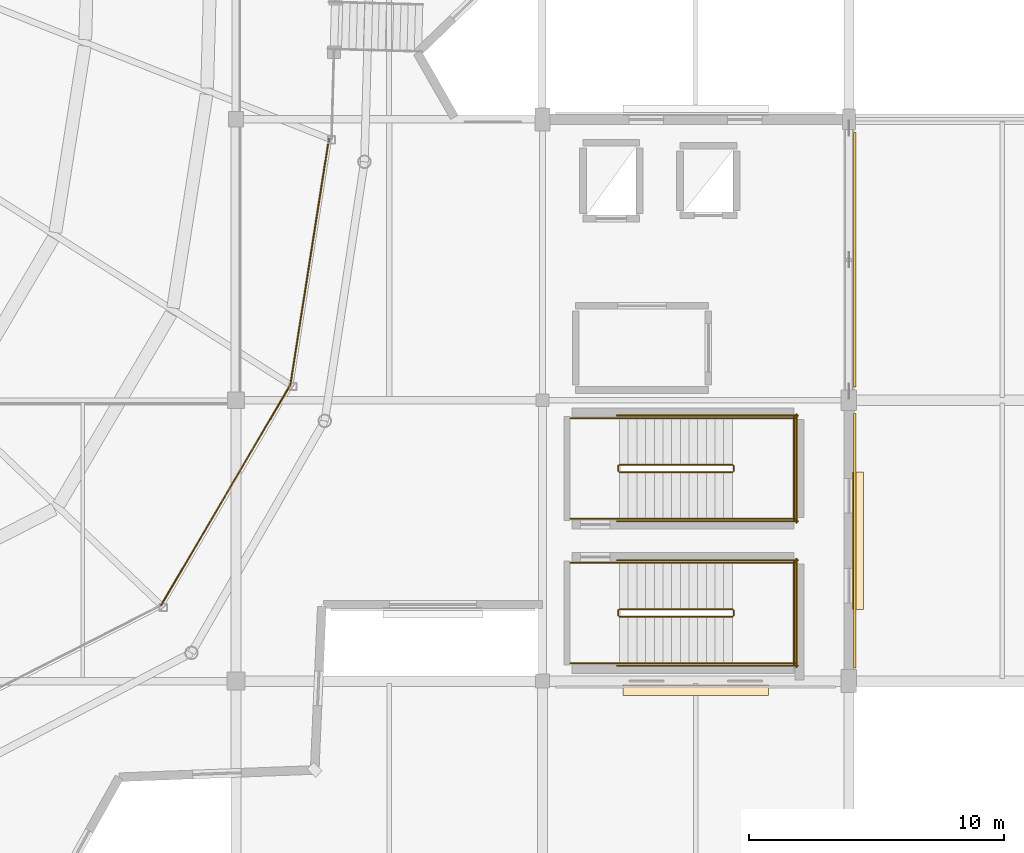
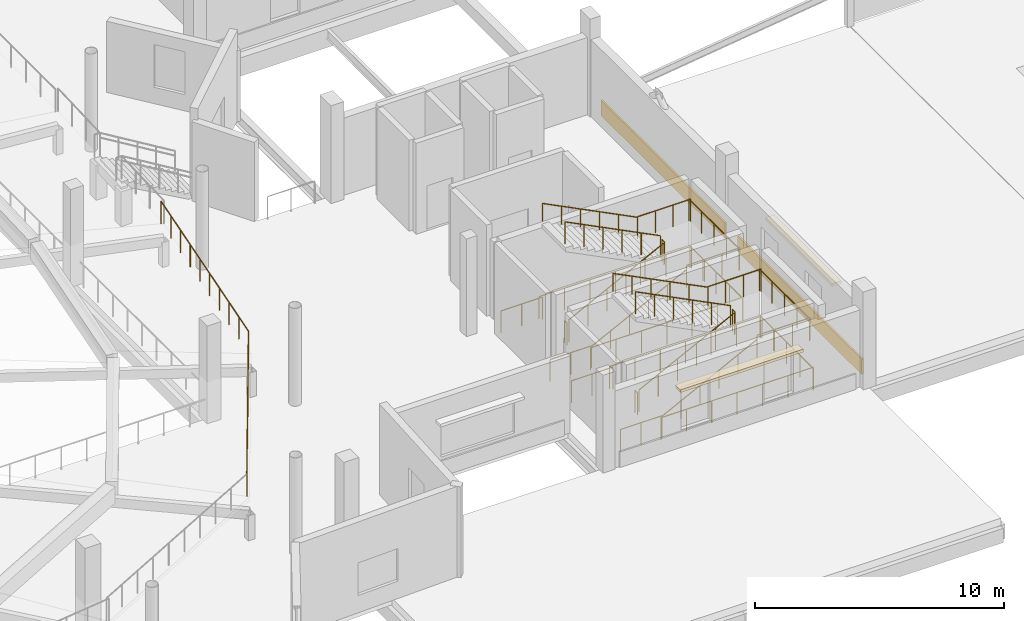
# One storey, part 73 of 77: 30 railings, 4 coverings.
"""IFC4 building model written with IfcOpenShell, lengths in metres."""

from ifc_helpers import new_model, si_unit, direction, frame, origin, origin_2d, place, context, subcontext, project, spatial, rectangle, circle, extrude, material, layer, layer_set, type_object, element, save


model = new_model("IFC4")

# Units and contexts
model_context = context("Model", 3, precision=1e-05, world=origin(), true_north=direction((0.0, 1.0)))
body_context = subcontext(model_context, "Body", "Model", "MODEL_VIEW")
ifc_project = project(units=[si_unit("LENGTHUNIT", "METRE"), si_unit("AREAUNIT", "SQUARE_METRE"), si_unit("VOLUMEUNIT", "CUBIC_METRE"), si_unit("PLANEANGLEUNIT", "RADIAN"), si_unit("MASSUNIT", "GRAM", prefix="KILO")], contexts=[model_context])

# Site, building, storey
site_placement = place(None, origin())
site = spatial("IfcSite", under=ifc_project, at=site_placement, CompositionType="ELEMENT")
building_placement = place(site_placement, origin())
building = spatial("IfcBuilding", under=site, at=building_placement, Name="Luwafu Chhajja Arena", CompositionType="ELEMENT")
storey_placement = place(building_placement, frame((0.0, 0.0, 14.699951171875)))
storey = spatial("IfcBuildingStorey", under=building, at=storey_placement, Name="L03", CompositionType="ELEMENT", Elevation=14.699951171875)

# Coverings
ifc_material_1 = material(Name="Red laterite sandstone cladding", Category="masonry")
ifc_layer = layer(ifc_material_1, 0.074951171875, Name="Red laterite sandstone cladding")
ifc_layer_set = layer_set([ifc_layer], Name="Red laterite sandstone cladding")
covering_type = type_object("IfcCoveringType", Name="Dressed Red-Laterite Sandstone Cladding", PredefinedType="CLADDING", material=ifc_layer_set)
covering_1_placement = place(storey_placement, frame((158.0, 10.639892578125, 2.93017578125), z_axis=(0.0, 0.0, 1.0), x_axis=(1.0, 0.0, 0.0)))
element("IfcCovering", 1, at=covering_1_placement, inside=storey, type_object=covering_type, Name="L03 Mughal Sandstone Window Chhajja Hood 0086", PredefinedType="CLADDING", context=body_context, shape_type="SweptSolid", body=[
    extrude(rectangle(XDim=5.703369140625, YDim=0.419921875, at=origin_2d()), origin(), (0.0, 0.0, 1.0), 0.139892578125),
])
covering_2_placement = place(storey_placement, frame((164.23193359375, 16.5, 0.0), z_axis=(0.0, 0.0, 1.0), x_axis=(0.0, 1.0, 0.0)))
element("IfcCovering", 2, at=covering_2_placement, inside=storey, type_object=covering_type, Name="L03 Red-Laterite Sandstone Plinth Cladding 093", PredefinedType="CLADDING", context=body_context, shape_type="SweptSolid", body=[
    extrude(rectangle(XDim=9.9599609375, YDim=0.0849609375, at=origin_2d()), origin(), (0.0, 0.0, 1.0), 0.760009765625),
])
covering_3_placement = place(storey_placement, frame((164.360107421875, 16.5, 2.93017578125), z_axis=(0.0, 0.0, 1.0), x_axis=(0.0, 1.0, 0.0)))
element("IfcCovering", 3, at=covering_3_placement, inside=storey, type_object=covering_type, Name="L03 Mughal Sandstone Window Chhajja Hood 0087", PredefinedType="CLADDING", context=body_context, shape_type="SweptSolid", body=[
    extrude(rectangle(XDim=5.3701171875, YDim=0.419921875, at=origin_2d()), origin(), (0.0, 0.0, 1.0), 0.139892578125),
])
covering_4_placement = place(storey_placement, frame((164.23193359375, 27.5, 0.0), z_axis=(0.0, 0.0, 1.0), x_axis=(0.0, 1.0, 0.0)))
element("IfcCovering", 4, at=covering_4_placement, inside=storey, type_object=covering_type, Name="L03 Red-Laterite Sandstone Plinth Cladding 095", PredefinedType="CLADDING", context=body_context, shape_type="SweptSolid", body=[
    extrude(rectangle(XDim=9.9599609375, YDim=0.0849609375, at=origin_2d()), origin(), (0.0, 0.0, 1.0), 0.760009765625),
])

# Railings
ifc_material_2 = material(Name="Stainless steel balustrade", Category="steel")
railing_type_1 = type_object("IfcRailingType", Name="Seating Bowl Sightline Barrier 1100", PredefinedType="BALUSTRADE", material=ifc_material_2)
railing_1_placement = place(storey_placement, frame((137.069091796875, 13.974609375, 2.030029296875)))
element("IfcRailing", 5, at=railing_1_placement, inside=storey, type_object=railing_type_1, Name="L03 Upper Tier Rear Barrier 0149", PredefinedType="BALUSTRADE", context=body_context, shape_type="SweptSolid", body=[
    extrude(circle(Radius=0.02392578125, at=origin_2d()), frame((0.0, 0.0, 1.09619140625), z_axis=(0.505876655953, 0.86260582479, 0.0), x_axis=(-0.86260582479, 0.505876655953, 0.0)), (0.0, 0.0, 1.0), 10.00634765625),
    extrude(circle(Radius=0.02099609375, at=origin_2d()), origin(), (0.0, 0.0, 1.0), 1.072021484375),
    extrude(circle(Radius=0.02099609375, at=origin_2d()), frame((0.5625, 0.958984375, 0.0)), (0.0, 0.0, 1.0), 1.072021484375),
    extrude(circle(Radius=0.02099609375, at=origin_2d()), frame((1.125, 1.918212890625, 0.0)), (0.0, 0.0, 1.0), 1.072021484375),
    extrude(circle(Radius=0.02099609375, at=origin_2d()), frame((1.687255859375, 2.877197265625, 0.0)), (0.0, 0.0, 1.0), 1.072021484375),
    extrude(circle(Radius=0.02099609375, at=origin_2d()), frame((2.249755859375, 3.836181640625, 0.0)), (0.0, 0.0, 1.0), 1.072021484375),
    extrude(circle(Radius=0.02099609375, at=origin_2d()), frame((2.812255859375, 4.79541015625, 0.0)), (0.0, 0.0, 1.0), 1.072021484375),
    extrude(circle(Radius=0.02099609375, at=origin_2d()), frame((3.374755859375, 5.75439453125, 0.0)), (0.0, 0.0, 1.0), 1.072021484375),
    extrude(circle(Radius=0.02099609375, at=origin_2d()), frame((3.93701171875, 6.71337890625, 0.0)), (0.0, 0.0, 1.0), 1.072021484375),
    extrude(circle(Radius=0.02099609375, at=origin_2d()), frame((4.49951171875, 7.672607421875, 0.0)), (0.0, 0.0, 1.0), 1.072021484375),
    extrude(circle(Radius=0.02099609375, at=origin_2d()), frame((5.06201171875, 8.631591796875, 0.0)), (0.0, 0.0, 1.0), 1.072021484375),
])
railing_2_placement = place(storey_placement, frame((142.131103515625, 22.606201171875, 2.030029296875)))
element("IfcRailing", 6, at=railing_2_placement, inside=storey, type_object=railing_type_1, Name="L03 Upper Tier Rear Barrier 0153", PredefinedType="BALUSTRADE", context=body_context, shape_type="SweptSolid", body=[
    extrude(circle(Radius=0.02392578125, at=origin_2d()), frame((0.0, 0.0, 1.09619140625), z_axis=(0.154676116933, 0.9879652316, 0.0), x_axis=(-0.9879652316, 0.154676116933, 0.0)), (0.0, 0.0, 1.0), 9.756103515625),
    extrude(circle(Radius=0.02099609375, at=origin_2d()), origin(), (0.0, 0.0, 1.0), 1.072021484375),
    extrude(circle(Radius=0.02099609375, at=origin_2d()), frame((0.167724609375, 1.071044921875, 0.0)), (0.0, 0.0, 1.0), 1.072021484375),
    extrude(circle(Radius=0.02099609375, at=origin_2d()), frame((0.33544921875, 2.141845703125, 0.0)), (0.0, 0.0, 1.0), 1.072021484375),
    extrude(circle(Radius=0.02099609375, at=origin_2d()), frame((0.5029296875, 3.212890625, 0.0)), (0.0, 0.0, 1.0), 1.072021484375),
    extrude(circle(Radius=0.02099609375, at=origin_2d()), frame((0.670654296875, 4.283935546875, 0.0)), (0.0, 0.0, 1.0), 1.072021484375),
    extrude(circle(Radius=0.02099609375, at=origin_2d()), frame((0.83837890625, 5.354736328125, 0.0)), (0.0, 0.0, 1.0), 1.072021484375),
    extrude(circle(Radius=0.02099609375, at=origin_2d()), frame((1.006103515625, 6.42578125, 0.0)), (0.0, 0.0, 1.0), 1.072021484375),
    extrude(circle(Radius=0.02099609375, at=origin_2d()), frame((1.173583984375, 7.496826171875, 0.0)), (0.0, 0.0, 1.0), 1.072021484375),
    extrude(circle(Radius=0.02099609375, at=origin_2d()), frame((1.34130859375, 8.567626953125, 0.0)), (0.0, 0.0, 1.0), 1.072021484375),
    extrude(circle(Radius=0.02099609375, at=origin_2d()), frame((1.509033203125, 9.638671875, 0.0)), (0.0, 0.0, 1.0), 1.072021484375),
])
ifc_material_3 = material(Name="Stainless steel handrail", Category="steel")
railing_type_2 = type_object("IfcRailingType", Name="Stair Pitch Wall Handrail 920", PredefinedType="HANDRAIL", material=ifc_material_3)
railing_3_placement = place(storey_placement, frame((155.02001953125, 11.699951171875, 0.17138671875)))
element("IfcRailing", 7, at=railing_3_placement, inside=storey, type_object=railing_type_2, Name="L03 ST-03 stair handrail 1", PredefinedType="HANDRAIL", context=body_context, shape_type="SweptSolid", body=[
    extrude(circle(Radius=0.02392578125, at=origin_2d()), frame((0.0, 0.0, 0.8759765625), z_axis=(0.892902951771, 0.0, 0.450249174034), x_axis=(0.0, 1.0, 0.0)), (0.0, 0.0, 1.0), 4.949951171875),
    extrude(circle(Radius=0.02099609375, at=origin_2d()), origin(), (0.0, 0.0, 1.0), 0.851806640625),
    extrude(circle(Radius=0.02099609375, at=origin_2d()), frame((0.884033203125, 0.0, 0.44580078125)), (0.0, 0.0, 1.0), 0.851806640625),
    extrude(circle(Radius=0.02099609375, at=origin_2d()), frame((1.76806640625, 0.0, 0.8916015625)), (0.0, 0.0, 1.0), 0.851806640625),
    extrude(circle(Radius=0.02099609375, at=origin_2d()), frame((2.65185546875, 0.0, 1.337158203125)), (0.0, 0.0, 1.0), 0.851806640625),
    extrude(circle(Radius=0.02099609375, at=origin_2d()), frame((3.535888671875, 0.0, 1.782958984375)), (0.0, 0.0, 1.0), 0.851806640625),
    extrude(circle(Radius=0.02099609375, at=origin_2d()), frame((4.419921875, 0.0, 2.228759765625)), (0.0, 0.0, 1.0), 0.851806640625),
])
railing_4_placement = place(storey_placement, frame((159.43994140625, 15.639892578125, 2.571533203125)))
element("IfcRailing", 8, at=railing_4_placement, inside=storey, type_object=railing_type_2, Name="L03 ST-03 stair handrail 2", PredefinedType="HANDRAIL", context=body_context, shape_type="SweptSolid", body=[
    extrude(circle(Radius=0.02392578125, at=origin_2d()), frame((0.0, 0.0, 0.8759765625), z_axis=(-0.89292277971, 0.0, 0.450209850486), x_axis=(0.0, -1.0, 0.0)), (0.0, 0.0, 1.0), 4.949951171875),
    extrude(circle(Radius=0.02099609375, at=origin_2d()), origin(), (0.0, 0.0, 1.0), 0.851806640625),
    extrude(circle(Radius=0.02099609375, at=origin_2d()), frame((-0.884033203125, 0.0, 0.44580078125)), (0.0, 0.0, 1.0), 0.851806640625),
    extrude(circle(Radius=0.02099609375, at=origin_2d()), frame((-1.76806640625, 0.0, 0.891357421875)), (0.0, 0.0, 1.0), 0.851806640625),
    extrude(circle(Radius=0.02099609375, at=origin_2d()), frame((-2.65185546875, 0.0, 1.337158203125)), (0.0, 0.0, 1.0), 0.851806640625),
    extrude(circle(Radius=0.02099609375, at=origin_2d()), frame((-3.535888671875, 0.0, 1.78271484375)), (0.0, 0.0, 1.0), 0.851806640625),
    extrude(circle(Radius=0.02099609375, at=origin_2d()), frame((-4.419921875, 0.0, 2.228515625)), (0.0, 0.0, 1.0), 0.851806640625),
])
railing_5_placement = place(storey_placement, frame((155.02001953125, 17.360107421875, 0.17138671875)))
element("IfcRailing", 9, at=railing_5_placement, inside=storey, type_object=railing_type_2, Name="L03 ST-04 stair handrail 1", PredefinedType="HANDRAIL", context=body_context, shape_type="SweptSolid", body=[
    extrude(circle(Radius=0.02392578125, at=origin_2d()), frame((0.0, 0.0, 0.8759765625), z_axis=(0.892902951771, 0.0, 0.450249174034), x_axis=(0.0, 1.0, 0.0)), (0.0, 0.0, 1.0), 4.949951171875),
    extrude(circle(Radius=0.02099609375, at=origin_2d()), origin(), (0.0, 0.0, 1.0), 0.851806640625),
    extrude(circle(Radius=0.02099609375, at=origin_2d()), frame((0.884033203125, 0.0, 0.44580078125)), (0.0, 0.0, 1.0), 0.851806640625),
    extrude(circle(Radius=0.02099609375, at=origin_2d()), frame((1.76806640625, 0.0, 0.8916015625)), (0.0, 0.0, 1.0), 0.851806640625),
    extrude(circle(Radius=0.02099609375, at=origin_2d()), frame((2.65185546875, 0.0, 1.337158203125)), (0.0, 0.0, 1.0), 0.851806640625),
    extrude(circle(Radius=0.02099609375, at=origin_2d()), frame((3.535888671875, 0.0, 1.782958984375)), (0.0, 0.0, 1.0), 0.851806640625),
    extrude(circle(Radius=0.02099609375, at=origin_2d()), frame((4.419921875, 0.0, 2.228759765625)), (0.0, 0.0, 1.0), 0.851806640625),
])
railing_6_placement = place(storey_placement, frame((159.43994140625, 21.300048828125, 2.571533203125)))
element("IfcRailing", 10, at=railing_6_placement, inside=storey, type_object=railing_type_2, Name="L03 ST-04 stair handrail 2", PredefinedType="HANDRAIL", context=body_context, shape_type="SweptSolid", body=[
    extrude(circle(Radius=0.02392578125, at=origin_2d()), frame((0.0, 0.0, 0.8759765625), z_axis=(-0.89292277971, 0.0, 0.450209850486), x_axis=(0.0, -1.0, 0.0)), (0.0, 0.0, 1.0), 4.949951171875),
    extrude(circle(Radius=0.02099609375, at=origin_2d()), origin(), (0.0, 0.0, 1.0), 0.851806640625),
    extrude(circle(Radius=0.02099609375, at=origin_2d()), frame((-0.884033203125, 0.0, 0.44580078125)), (0.0, 0.0, 1.0), 0.851806640625),
    extrude(circle(Radius=0.02099609375, at=origin_2d()), frame((-1.76806640625, 0.0, 0.891357421875)), (0.0, 0.0, 1.0), 0.851806640625),
    extrude(circle(Radius=0.02099609375, at=origin_2d()), frame((-2.65185546875, 0.0, 1.337158203125)), (0.0, 0.0, 1.0), 0.851806640625),
    extrude(circle(Radius=0.02099609375, at=origin_2d()), frame((-3.535888671875, 0.0, 1.78271484375)), (0.0, 0.0, 1.0), 0.851806640625),
    extrude(circle(Radius=0.02099609375, at=origin_2d()), frame((-4.419921875, 0.0, 2.228515625)), (0.0, 0.0, 1.0), 0.851806640625),
])
railing_type_3 = type_object("IfcRailingType", Name="Stair and Terrace Guard Balustrade 1100", PredefinedType="BALUSTRADE", material=ifc_material_2)
railing_7_placement = place(storey_placement, frame((155.02001953125, 13.52001953125, 0.17138671875)))
element("IfcRailing", 11, at=railing_7_placement, inside=storey, type_object=railing_type_3, Name="L03 ST-03 stair guard 1", PredefinedType="BALUSTRADE", context=body_context, shape_type="SweptSolid", body=[
    extrude(circle(Radius=0.02392578125, at=origin_2d()), frame((0.0, 0.0, 1.076171875), z_axis=(0.892902951771, 0.0, 0.450249174034), x_axis=(0.0, 1.0, 0.0)), (0.0, 0.0, 1.0), 4.949951171875),
    extrude(circle(Radius=0.02099609375, at=origin_2d()), origin(), (0.0, 0.0, 1.0), 1.052001953125),
    extrude(circle(Radius=0.02099609375, at=origin_2d()), frame((0.884033203125, 0.0, 0.44580078125)), (0.0, 0.0, 1.0), 1.052001953125),
    extrude(circle(Radius=0.02099609375, at=origin_2d()), frame((1.76806640625, 0.0, 0.8916015625)), (0.0, 0.0, 1.0), 1.052001953125),
    extrude(circle(Radius=0.02099609375, at=origin_2d()), frame((2.65185546875, 0.0, 1.337158203125)), (0.0, 0.0, 1.0), 1.052001953125),
    extrude(circle(Radius=0.02099609375, at=origin_2d()), frame((3.535888671875, 0.0, 1.782958984375)), (0.0, 0.0, 1.0), 1.052001953125),
    extrude(circle(Radius=0.02099609375, at=origin_2d()), frame((4.419921875, 0.0, 2.228759765625)), (0.0, 0.0, 1.0), 1.052001953125),
])
railing_8_placement = place(storey_placement, frame((159.489990234375, 13.570068359375, 2.400146484375)))
element("IfcRailing", 12, at=railing_8_placement, inside=storey, type_object=railing_type_3, Name="L03 ST-03 stair guard 2", PredefinedType="BALUSTRADE", context=body_context, shape_type="SweptSolid", body=[
    extrude(circle(Radius=0.02392578125, at=origin_2d()), frame((0.0, 0.0, 1.076171875), z_axis=(0.0, 1.0, 0.0), x_axis=(-1.0, 0.0, 0.0)), (0.0, 0.0, 1.0), 0.199951171875),
    extrude(circle(Radius=0.02099609375, at=origin_2d()), origin(), (0.0, 0.0, 1.0), 1.052001953125),
    extrude(circle(Radius=0.02099609375, at=origin_2d()), frame((0.0, 0.199951171875, 0.0)), (0.0, 0.0, 1.0), 1.052001953125),
])
for number, where, name in (
    (13, (159.43994140625, 11.699951171875, 2.400146484375), "L03 ST-03 stair guard 3"),
    (14, (159.43994140625, 15.639892578125, 2.400146484375), "L03 ST-03 stair guard 4"),
):
    element("IfcRailing", number, at=place(storey_placement, frame(where)), inside=storey, type_object=railing_type_3, Name=name, PredefinedType="BALUSTRADE", context=body_context, shape_type="SweptSolid", body=[
        extrude(circle(Radius=0.02392578125, at=origin_2d()), frame((0.0, 0.0, 1.076171875), z_axis=(1.0, 0.0, 0.0), x_axis=(0.0, 1.0, 0.0)), (0.0, 0.0, 1.0), 2.4599609375),
        extrude(circle(Radius=0.02099609375, at=origin_2d()), origin(), (0.0, 0.0, 1.0), 1.052001953125),
        extrude(circle(Radius=0.02099609375, at=origin_2d()), frame((0.820068359375, 0.0, 0.0)), (0.0, 0.0, 1.0), 1.052001953125),
        extrude(circle(Radius=0.02099609375, at=origin_2d()), frame((1.639892578125, 0.0, 0.0)), (0.0, 0.0, 1.0), 1.052001953125),
        extrude(circle(Radius=0.02099609375, at=origin_2d()), frame((2.4599609375, 0.0, 0.0)), (0.0, 0.0, 1.0), 1.052001953125),
    ])
railing_9_placement = place(storey_placement, frame((161.85009765625, 11.64990234375, 2.400146484375)))
element("IfcRailing", 15, at=railing_9_placement, inside=storey, type_object=railing_type_3, Name="L03 ST-03 stair guard 5", PredefinedType="BALUSTRADE", context=body_context, shape_type="SweptSolid", body=[
    extrude(circle(Radius=0.02392578125, at=origin_2d()), frame((0.0, 0.0, 1.076171875), z_axis=(0.0, 1.0, 0.0), x_axis=(-1.0, 0.0, 0.0)), (0.0, 0.0, 1.0), 4.0400390625),
    extrude(circle(Radius=0.02099609375, at=origin_2d()), origin(), (0.0, 0.0, 1.0), 1.052001953125),
    extrude(circle(Radius=0.02099609375, at=origin_2d()), frame((0.0, 1.010009765625, 0.0)), (0.0, 0.0, 1.0), 1.052001953125),
    extrude(circle(Radius=0.02099609375, at=origin_2d()), frame((0.0, 2.02001953125, 0.0)), (0.0, 0.0, 1.0), 1.052001953125),
    extrude(circle(Radius=0.02099609375, at=origin_2d()), frame((0.0, 3.030029296875, 0.0)), (0.0, 0.0, 1.0), 1.052001953125),
    extrude(circle(Radius=0.02099609375, at=origin_2d()), frame((0.0, 4.0400390625, 0.0)), (0.0, 0.0, 1.0), 1.052001953125),
])
railing_10_placement = place(storey_placement, frame((159.43994140625, 13.820068359375, 2.571533203125)))
element("IfcRailing", 16, at=railing_10_placement, inside=storey, type_object=railing_type_3, Name="L03 ST-03 stair guard 6", PredefinedType="BALUSTRADE", context=body_context, shape_type="SweptSolid", body=[
    extrude(circle(Radius=0.02392578125, at=origin_2d()), frame((0.0, 0.0, 1.076171875), z_axis=(-0.89292277971, 0.0, 0.450209850486), x_axis=(0.0, -1.0, 0.0)), (0.0, 0.0, 1.0), 4.949951171875),
    extrude(circle(Radius=0.02099609375, at=origin_2d()), origin(), (0.0, 0.0, 1.0), 1.052001953125),
    extrude(circle(Radius=0.02099609375, at=origin_2d()), frame((-0.884033203125, 0.0, 0.44580078125)), (0.0, 0.0, 1.0), 1.052001953125),
    extrude(circle(Radius=0.02099609375, at=origin_2d()), frame((-1.76806640625, 0.0, 0.891357421875)), (0.0, 0.0, 1.0), 1.052001953125),
    extrude(circle(Radius=0.02099609375, at=origin_2d()), frame((-2.65185546875, 0.0, 1.337158203125)), (0.0, 0.0, 1.0), 1.052001953125),
    extrude(circle(Radius=0.02099609375, at=origin_2d()), frame((-3.535888671875, 0.0, 1.78271484375)), (0.0, 0.0, 1.0), 1.052001953125),
    extrude(circle(Radius=0.02099609375, at=origin_2d()), frame((-4.419921875, 0.0, 2.228515625)), (0.0, 0.0, 1.0), 1.052001953125),
])
railing_11_placement = place(storey_placement, frame((154.969970703125, 13.570068359375, 0.0)))
element("IfcRailing", 17, at=railing_11_placement, inside=storey, type_object=railing_type_3, Name="L03 ST-03 stair guard 7", PredefinedType="BALUSTRADE", context=body_context, shape_type="SweptSolid", body=[
    extrude(circle(Radius=0.02392578125, at=origin_2d()), frame((0.0, 0.0, 1.076171875), z_axis=(0.0, 1.0, 0.0), x_axis=(-1.0, 0.0, 0.0)), (0.0, 0.0, 1.0), 0.199951171875),
    extrude(circle(Radius=0.02099609375, at=origin_2d()), origin(), (0.0, 0.0, 1.0), 1.052001953125),
    extrude(circle(Radius=0.02099609375, at=origin_2d()), frame((0.0, 0.199951171875, 0.0)), (0.0, 0.0, 1.0), 1.052001953125),
])
for number, where, name in (
    (18, (153.10009765625, 11.699951171875, 0.0), "L03 ST-03 stair guard 8"),
    (19, (153.10009765625, 15.639892578125, 0.0), "L03 ST-03 stair guard 9"),
):
    element("IfcRailing", number, at=place(storey_placement, frame(where)), inside=storey, type_object=railing_type_3, Name=name, PredefinedType="BALUSTRADE", context=body_context, shape_type="SweptSolid", body=[
        extrude(circle(Radius=0.02392578125, at=origin_2d()), frame((0.0, 0.0, 1.076171875), z_axis=(1.0, 0.0, 0.0), x_axis=(0.0, 1.0, 0.0)), (0.0, 0.0, 1.0), 1.919921875),
        extrude(circle(Radius=0.02099609375, at=origin_2d()), origin(), (0.0, 0.0, 1.0), 1.052001953125),
        extrude(circle(Radius=0.02099609375, at=origin_2d()), frame((0.9599609375, 0.0, 0.0)), (0.0, 0.0, 1.0), 1.052001953125),
        extrude(circle(Radius=0.02099609375, at=origin_2d()), frame((1.919921875, 0.0, 0.0)), (0.0, 0.0, 1.0), 1.052001953125),
    ])
for number, where, name in (
    (20, (154.919921875, 11.60009765625, 0.0), "L03 ST-03 stair guard 10"),
    (21, (154.919921875, 15.739990234375, 0.0), "L03 ST-03 stair guard 11"),
):
    element("IfcRailing", number, at=place(storey_placement, frame(where)), inside=storey, type_object=railing_type_3, Name=name, PredefinedType="BALUSTRADE", context=body_context, shape_type="SweptSolid", body=[
        extrude(circle(Radius=0.02392578125, at=origin_2d()), frame((0.0, 0.0, 1.076171875), z_axis=(1.0, 0.0, 0.0), x_axis=(0.0, 1.0, 0.0)), (0.0, 0.0, 1.0), 7.080078125),
        extrude(circle(Radius=0.02099609375, at=origin_2d()), origin(), (0.0, 0.0, 1.0), 1.052001953125),
        extrude(circle(Radius=0.02099609375, at=origin_2d()), frame((1.179931640625, 0.0, 0.0)), (0.0, 0.0, 1.0), 1.052001953125),
        extrude(circle(Radius=0.02099609375, at=origin_2d()), frame((2.360107421875, 0.0, 0.0)), (0.0, 0.0, 1.0), 1.052001953125),
        extrude(circle(Radius=0.02099609375, at=origin_2d()), frame((3.5400390625, 0.0, 0.0)), (0.0, 0.0, 1.0), 1.052001953125),
        extrude(circle(Radius=0.02099609375, at=origin_2d()), frame((4.719970703125, 0.0, 0.0)), (0.0, 0.0, 1.0), 1.052001953125),
        extrude(circle(Radius=0.02099609375, at=origin_2d()), frame((5.900146484375, 0.0, 0.0)), (0.0, 0.0, 1.0), 1.052001953125),
        extrude(circle(Radius=0.02099609375, at=origin_2d()), frame((7.080078125, 0.0, 0.0)), (0.0, 0.0, 1.0), 1.052001953125),
    ])
railing_12_placement = place(storey_placement, frame((161.949951171875, 11.550048828125, 0.0)))
element("IfcRailing", 22, at=railing_12_placement, inside=storey, type_object=railing_type_3, Name="L03 ST-03 stair guard 12", PredefinedType="BALUSTRADE", context=body_context, shape_type="SweptSolid", body=[
    extrude(circle(Radius=0.02392578125, at=origin_2d()), frame((0.0, 0.0, 1.076171875), z_axis=(0.0, 1.0, 0.0), x_axis=(-1.0, 0.0, 0.0)), (0.0, 0.0, 1.0), 4.239990234375),
    extrude(circle(Radius=0.02099609375, at=origin_2d()), origin(), (0.0, 0.0, 1.0), 1.052001953125),
    extrude(circle(Radius=0.02099609375, at=origin_2d()), frame((0.0, 1.06005859375, 0.0)), (0.0, 0.0, 1.0), 1.052001953125),
    extrude(circle(Radius=0.02099609375, at=origin_2d()), frame((0.0, 2.1201171875, 0.0)), (0.0, 0.0, 1.0), 1.052001953125),
    extrude(circle(Radius=0.02099609375, at=origin_2d()), frame((0.0, 3.179931640625, 0.0)), (0.0, 0.0, 1.0), 1.052001953125),
    extrude(circle(Radius=0.02099609375, at=origin_2d()), frame((0.0, 4.239990234375, 0.0)), (0.0, 0.0, 1.0), 1.052001953125),
])
railing_13_placement = place(storey_placement, frame((155.02001953125, 19.179931640625, 0.17138671875)))
element("IfcRailing", 23, at=railing_13_placement, inside=storey, type_object=railing_type_3, Name="L03 ST-04 stair guard 1", PredefinedType="BALUSTRADE", context=body_context, shape_type="SweptSolid", body=[
    extrude(circle(Radius=0.02392578125, at=origin_2d()), frame((0.0, 0.0, 1.076171875), z_axis=(0.892902951771, 0.0, 0.450249174034), x_axis=(0.0, 1.0, 0.0)), (0.0, 0.0, 1.0), 4.949951171875),
    extrude(circle(Radius=0.02099609375, at=origin_2d()), origin(), (0.0, 0.0, 1.0), 1.052001953125),
    extrude(circle(Radius=0.02099609375, at=origin_2d()), frame((0.884033203125, 0.0, 0.44580078125)), (0.0, 0.0, 1.0), 1.052001953125),
    extrude(circle(Radius=0.02099609375, at=origin_2d()), frame((1.76806640625, 0.0, 0.8916015625)), (0.0, 0.0, 1.0), 1.052001953125),
    extrude(circle(Radius=0.02099609375, at=origin_2d()), frame((2.65185546875, 0.0, 1.337158203125)), (0.0, 0.0, 1.0), 1.052001953125),
    extrude(circle(Radius=0.02099609375, at=origin_2d()), frame((3.535888671875, 0.0, 1.782958984375)), (0.0, 0.0, 1.0), 1.052001953125),
    extrude(circle(Radius=0.02099609375, at=origin_2d()), frame((4.419921875, 0.0, 2.228759765625)), (0.0, 0.0, 1.0), 1.052001953125),
])
railing_14_placement = place(storey_placement, frame((159.489990234375, 19.22998046875, 2.400146484375)))
element("IfcRailing", 24, at=railing_14_placement, inside=storey, type_object=railing_type_3, Name="L03 ST-04 stair guard 2", PredefinedType="BALUSTRADE", context=body_context, shape_type="SweptSolid", body=[
    extrude(circle(Radius=0.02392578125, at=origin_2d()), frame((0.0, 0.0, 1.076171875), z_axis=(0.0, 1.0, 0.0), x_axis=(-1.0, 0.0, 0.0)), (0.0, 0.0, 1.0), 0.199951171875),
    extrude(circle(Radius=0.02099609375, at=origin_2d()), origin(), (0.0, 0.0, 1.0), 1.052001953125),
    extrude(circle(Radius=0.02099609375, at=origin_2d()), frame((0.0, 0.199951171875, 0.0)), (0.0, 0.0, 1.0), 1.052001953125),
])
for number, where, name in (
    (25, (159.43994140625, 17.360107421875, 2.400146484375), "L03 ST-04 stair guard 3"),
    (26, (159.43994140625, 21.300048828125, 2.400146484375), "L03 ST-04 stair guard 4"),
):
    element("IfcRailing", number, at=place(storey_placement, frame(where)), inside=storey, type_object=railing_type_3, Name=name, PredefinedType="BALUSTRADE", context=body_context, shape_type="SweptSolid", body=[
        extrude(circle(Radius=0.02392578125, at=origin_2d()), frame((0.0, 0.0, 1.076171875), z_axis=(1.0, 0.0, 0.0), x_axis=(0.0, 1.0, 0.0)), (0.0, 0.0, 1.0), 2.4599609375),
        extrude(circle(Radius=0.02099609375, at=origin_2d()), origin(), (0.0, 0.0, 1.0), 1.052001953125),
        extrude(circle(Radius=0.02099609375, at=origin_2d()), frame((0.820068359375, 0.0, 0.0)), (0.0, 0.0, 1.0), 1.052001953125),
        extrude(circle(Radius=0.02099609375, at=origin_2d()), frame((1.639892578125, 0.0, 0.0)), (0.0, 0.0, 1.0), 1.052001953125),
        extrude(circle(Radius=0.02099609375, at=origin_2d()), frame((2.4599609375, 0.0, 0.0)), (0.0, 0.0, 1.0), 1.052001953125),
    ])
railing_15_placement = place(storey_placement, frame((161.85009765625, 17.31005859375, 2.400146484375)))
element("IfcRailing", 27, at=railing_15_placement, inside=storey, type_object=railing_type_3, Name="L03 ST-04 stair guard 5", PredefinedType="BALUSTRADE", context=body_context, shape_type="SweptSolid", body=[
    extrude(circle(Radius=0.02392578125, at=origin_2d()), frame((0.0, 0.0, 1.076171875), z_axis=(0.0, 1.0, 0.0), x_axis=(-1.0, 0.0, 0.0)), (0.0, 0.0, 1.0), 4.0400390625),
    extrude(circle(Radius=0.02099609375, at=origin_2d()), origin(), (0.0, 0.0, 1.0), 1.052001953125),
    extrude(circle(Radius=0.02099609375, at=origin_2d()), frame((0.0, 1.010009765625, 0.0)), (0.0, 0.0, 1.0), 1.052001953125),
    extrude(circle(Radius=0.02099609375, at=origin_2d()), frame((0.0, 2.02001953125, 0.0)), (0.0, 0.0, 1.0), 1.052001953125),
    extrude(circle(Radius=0.02099609375, at=origin_2d()), frame((0.0, 3.030029296875, 0.0)), (0.0, 0.0, 1.0), 1.052001953125),
    extrude(circle(Radius=0.02099609375, at=origin_2d()), frame((0.0, 4.0400390625, 0.0)), (0.0, 0.0, 1.0), 1.052001953125),
])
railing_16_placement = place(storey_placement, frame((159.43994140625, 19.47998046875, 2.571533203125)))
element("IfcRailing", 28, at=railing_16_placement, inside=storey, type_object=railing_type_3, Name="L03 ST-04 stair guard 6", PredefinedType="BALUSTRADE", context=body_context, shape_type="SweptSolid", body=[
    extrude(circle(Radius=0.02392578125, at=origin_2d()), frame((0.0, 0.0, 1.076171875), z_axis=(-0.89292277971, 0.0, 0.450209850486), x_axis=(0.0, -1.0, 0.0)), (0.0, 0.0, 1.0), 4.949951171875),
    extrude(circle(Radius=0.02099609375, at=origin_2d()), origin(), (0.0, 0.0, 1.0), 1.052001953125),
    extrude(circle(Radius=0.02099609375, at=origin_2d()), frame((-0.884033203125, 0.0, 0.44580078125)), (0.0, 0.0, 1.0), 1.052001953125),
    extrude(circle(Radius=0.02099609375, at=origin_2d()), frame((-1.76806640625, 0.0, 0.891357421875)), (0.0, 0.0, 1.0), 1.052001953125),
    extrude(circle(Radius=0.02099609375, at=origin_2d()), frame((-2.65185546875, 0.0, 1.337158203125)), (0.0, 0.0, 1.0), 1.052001953125),
    extrude(circle(Radius=0.02099609375, at=origin_2d()), frame((-3.535888671875, 0.0, 1.78271484375)), (0.0, 0.0, 1.0), 1.052001953125),
    extrude(circle(Radius=0.02099609375, at=origin_2d()), frame((-4.419921875, 0.0, 2.228515625)), (0.0, 0.0, 1.0), 1.052001953125),
])
railing_17_placement = place(storey_placement, frame((154.969970703125, 19.22998046875, 0.0)))
element("IfcRailing", 29, at=railing_17_placement, inside=storey, type_object=railing_type_3, Name="L03 ST-04 stair guard 7", PredefinedType="BALUSTRADE", context=body_context, shape_type="SweptSolid", body=[
    extrude(circle(Radius=0.02392578125, at=origin_2d()), frame((0.0, 0.0, 1.076171875), z_axis=(0.0, 1.0, 0.0), x_axis=(-1.0, 0.0, 0.0)), (0.0, 0.0, 1.0), 0.199951171875),
    extrude(circle(Radius=0.02099609375, at=origin_2d()), origin(), (0.0, 0.0, 1.0), 1.052001953125),
    extrude(circle(Radius=0.02099609375, at=origin_2d()), frame((0.0, 0.199951171875, 0.0)), (0.0, 0.0, 1.0), 1.052001953125),
])
for number, where, name in (
    (30, (153.10009765625, 17.360107421875, 0.0), "L03 ST-04 stair guard 8"),
    (31, (153.10009765625, 21.300048828125, 0.0), "L03 ST-04 stair guard 9"),
):
    element("IfcRailing", number, at=place(storey_placement, frame(where)), inside=storey, type_object=railing_type_3, Name=name, PredefinedType="BALUSTRADE", context=body_context, shape_type="SweptSolid", body=[
        extrude(circle(Radius=0.02392578125, at=origin_2d()), frame((0.0, 0.0, 1.076171875), z_axis=(1.0, 0.0, 0.0), x_axis=(0.0, 1.0, 0.0)), (0.0, 0.0, 1.0), 1.919921875),
        extrude(circle(Radius=0.02099609375, at=origin_2d()), origin(), (0.0, 0.0, 1.0), 1.052001953125),
        extrude(circle(Radius=0.02099609375, at=origin_2d()), frame((0.9599609375, 0.0, 0.0)), (0.0, 0.0, 1.0), 1.052001953125),
        extrude(circle(Radius=0.02099609375, at=origin_2d()), frame((1.919921875, 0.0, 0.0)), (0.0, 0.0, 1.0), 1.052001953125),
    ])
for number, where, name in (
    (32, (154.919921875, 17.260009765625, 0.0), "L03 ST-04 stair guard 10"),
    (33, (154.919921875, 21.39990234375, 0.0), "L03 ST-04 stair guard 11"),
):
    element("IfcRailing", number, at=place(storey_placement, frame(where)), inside=storey, type_object=railing_type_3, Name=name, PredefinedType="BALUSTRADE", context=body_context, shape_type="SweptSolid", body=[
        extrude(circle(Radius=0.02392578125, at=origin_2d()), frame((0.0, 0.0, 1.076171875), z_axis=(1.0, 0.0, 0.0), x_axis=(0.0, 1.0, 0.0)), (0.0, 0.0, 1.0), 7.080078125),
        extrude(circle(Radius=0.02099609375, at=origin_2d()), origin(), (0.0, 0.0, 1.0), 1.052001953125),
        extrude(circle(Radius=0.02099609375, at=origin_2d()), frame((1.179931640625, 0.0, 0.0)), (0.0, 0.0, 1.0), 1.052001953125),
        extrude(circle(Radius=0.02099609375, at=origin_2d()), frame((2.360107421875, 0.0, 0.0)), (0.0, 0.0, 1.0), 1.052001953125),
        extrude(circle(Radius=0.02099609375, at=origin_2d()), frame((3.5400390625, 0.0, 0.0)), (0.0, 0.0, 1.0), 1.052001953125),
        extrude(circle(Radius=0.02099609375, at=origin_2d()), frame((4.719970703125, 0.0, 0.0)), (0.0, 0.0, 1.0), 1.052001953125),
        extrude(circle(Radius=0.02099609375, at=origin_2d()), frame((5.900146484375, 0.0, 0.0)), (0.0, 0.0, 1.0), 1.052001953125),
        extrude(circle(Radius=0.02099609375, at=origin_2d()), frame((7.080078125, 0.0, 0.0)), (0.0, 0.0, 1.0), 1.052001953125),
    ])
railing_18_placement = place(storey_placement, frame((161.949951171875, 17.2099609375, 0.0)))
element("IfcRailing", 34, at=railing_18_placement, inside=storey, type_object=railing_type_3, Name="L03 ST-04 stair guard 12", PredefinedType="BALUSTRADE", context=body_context, shape_type="SweptSolid", body=[
    extrude(circle(Radius=0.02392578125, at=origin_2d()), frame((0.0, 0.0, 1.076171875), z_axis=(0.0, 1.0, 0.0), x_axis=(-1.0, 0.0, 0.0)), (0.0, 0.0, 1.0), 4.239990234375),
    extrude(circle(Radius=0.02099609375, at=origin_2d()), origin(), (0.0, 0.0, 1.0), 1.052001953125),
    extrude(circle(Radius=0.02099609375, at=origin_2d()), frame((0.0, 1.06005859375, 0.0)), (0.0, 0.0, 1.0), 1.052001953125),
    extrude(circle(Radius=0.02099609375, at=origin_2d()), frame((0.0, 2.1201171875, 0.0)), (0.0, 0.0, 1.0), 1.052001953125),
    extrude(circle(Radius=0.02099609375, at=origin_2d()), frame((0.0, 3.179931640625, 0.0)), (0.0, 0.0, 1.0), 1.052001953125),
    extrude(circle(Radius=0.02099609375, at=origin_2d()), frame((0.0, 4.239990234375, 0.0)), (0.0, 0.0, 1.0), 1.052001953125),
])

save(model, "model.ifc")
